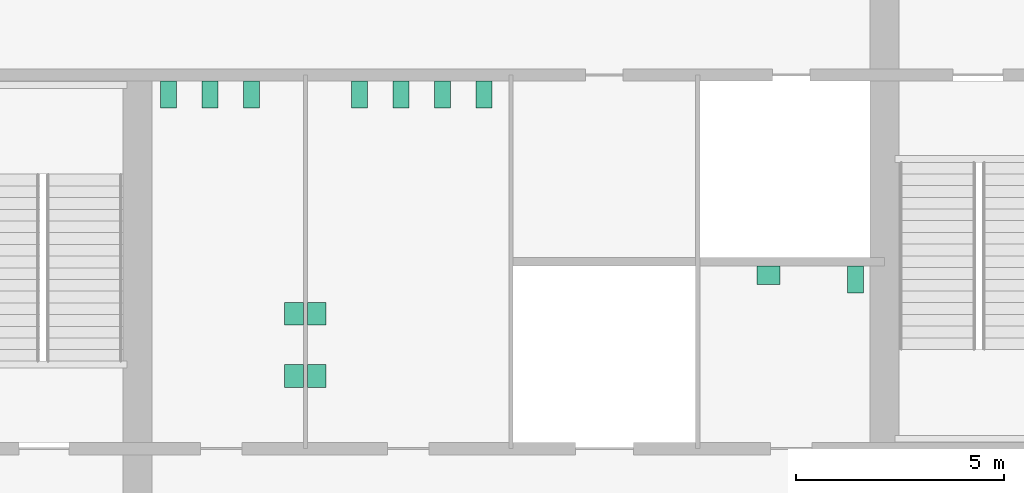
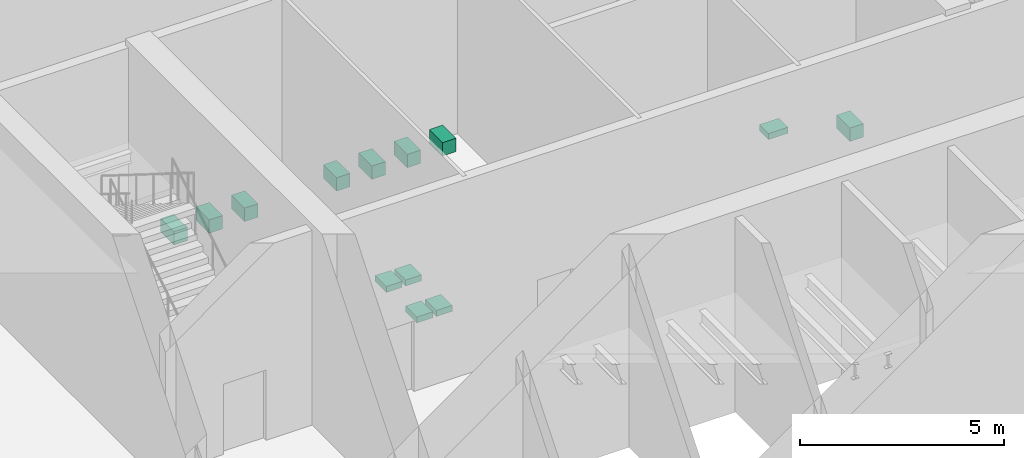
# One storey, part 11 of 11: 13 sanitary terminals.
"""IFC4 building model written with IfcOpenShell, lengths in metres."""

import ifcopenshell
import ifcopenshell.guid

model = None  # the IFC model being written
_history = None  # IfcOwnerHistory: only IFC2X3 demands one
_inside = {}  # id of a spatial element -> (the spatial element, [elements in it])
_under = {}  # id of a project, library or spatial element -> (it, [spatial elements below it])
_declared = {}  # id of a project -> (the project, [libraries it declares])
_typed = {}  # id of a type object -> (the type object, [elements of that type])
_made_of = {}  # id of a material, layer set ... -> (it, [elements and type objects made of it])


def new_model(schema):
    """Start an empty IFC model of exactly this schema.

    Asked for "IFC4X3", IfcOpenShell would pick the latest addendum, in which some entities
    have other attributes; the version numbers below select the first issue.
    IFC2X3 requires an IfcOwnerHistory on every rooted entity: one is made here for all.
    """
    global model, _history
    if schema == "IFC4X3":
        model = ifcopenshell.file(schema_version=(4, 3, 0, 0))
    else:
        model = ifcopenshell.file(schema=schema)
    _inside.clear()
    _under.clear()
    _declared.clear()
    _typed.clear()
    _made_of.clear()
    _history = None
    if model.schema == "IFC2X3":
        org = make("IfcOrganization", Name="unknown")
        user = make(
            "IfcPersonAndOrganization",
            ThePerson=make("IfcPerson", FamilyName="unknown"),
            TheOrganization=org,
        )
        app = make(
            "IfcApplication",
            ApplicationDeveloper=org,
            Version="unknown",
            ApplicationFullName="unknown",
            ApplicationIdentifier="unknown",
        )
        _history = make(
            "IfcOwnerHistory",
            OwningUser=user,
            OwningApplication=app,
            ChangeAction="ADDED",
            CreationDate=0,
        )
    return model


def make(cls, **values):
    """One entity of the class cls with the attributes given. An attribute that is None is left unset."""
    return model.create_entity(
        cls, **{name: value for name, value in values.items() if value is not None}
    )


def rooted(cls, **values):
    """An entity with a GlobalId (a new one), such as an element, a storey or a relation."""
    return make(cls, GlobalId=ifcopenshell.guid.new(), OwnerHistory=_history, **values)


def si_unit(unit_type, name, prefix=None):
    """IfcSIUnit, for example si_unit("LENGTHUNIT", "METRE", prefix="MILLI")."""
    return make("IfcSIUnit", UnitType=unit_type, Prefix=prefix, Name=name)


def assignment(units):
    """IfcUnitAssignment: the units of a project."""
    return None if units is None else make("IfcUnitAssignment", Units=units)


def point(xyz):
    """IfcCartesianPoint."""
    return None if xyz is None else make("IfcCartesianPoint", Coordinates=xyz)


def direction(xyz):
    """IfcDirection."""
    return None if xyz is None else make("IfcDirection", DirectionRatios=xyz)


def frame(location, z_axis=None, x_axis=None):
    """IfcAxis2Placement3D, a coordinate frame: its origin and axes. An axis left out is left unset."""
    return make(
        "IfcAxis2Placement3D",
        Location=point(location),
        Axis=direction(z_axis),
        RefDirection=direction(x_axis),
    )


def frame_2d(location, x_axis=None):
    """IfcAxis2Placement2D, a coordinate frame in the plane: its origin and x axis."""
    return make(
        "IfcAxis2Placement2D", Location=point(location), RefDirection=direction(x_axis)
    )


def origin():
    """The frame at (0, 0, 0) with its axes left unset."""
    return frame((0.0, 0.0, 0.0))


def origin_2d():
    """The frame at (0, 0) in the plane with its x axis left unset."""
    return frame_2d((0.0, 0.0))


def place(relative_to, where):
    """IfcLocalPlacement: puts the frame where relative to a parent placement (None: the world)."""
    return make(
        "IfcLocalPlacement", PlacementRelTo=relative_to, RelativePlacement=where
    )


def context(
    kind, dimensions, precision=None, world=None, true_north=None, identifier=None
):
    """IfcGeometricRepresentationContext, for example the 3D "Model" context."""
    return make(
        "IfcGeometricRepresentationContext",
        ContextIdentifier=identifier,
        ContextType=kind,
        CoordinateSpaceDimension=dimensions,
        Precision=precision,
        WorldCoordinateSystem=world,
        TrueNorth=true_north,
    )


def subcontext(parent, identifier, kind, view, scale=None):
    """IfcGeometricRepresentationSubContext, for example "Body" below "Model"."""
    return make(
        "IfcGeometricRepresentationSubContext",
        ContextIdentifier=identifier,
        ContextType=kind,
        ParentContext=parent,
        TargetScale=scale,
        TargetView=view,
    )


def project(units=None, contexts=None):
    """IfcProject with its units and contexts."""
    return rooted(
        "IfcProject",
        Name="project",
        RepresentationContexts=contexts,
        UnitsInContext=assignment(units),
    )


def spatial(cls, under=None, at=None, **own):
    """A site, building, storey or space (cls), placed at a placement, below another one or the project."""
    s = rooted(cls, ObjectPlacement=at, **own)
    if under is not None:
        _under.setdefault(under.id(), (under, []))[1].append(s)
    return s


def profile(cls, at=None, kind="AREA", **sizes):
    """A parametric profile (cls). Its sizes go by their IFC names, for example OverallWidth=200.0."""
    return make(cls, ProfileType=kind, Position=at, **sizes)


def rectangle(**sizes):
    """IfcRectangleProfileDef."""
    return profile("IfcRectangleProfileDef", **sizes)


def extrude(swept, where, along, depth):
    """IfcExtrudedAreaSolid: the profile swept, set in the frame where, extruded along a direction by depth."""
    return make(
        "IfcExtrudedAreaSolid",
        SweptArea=swept,
        Position=where,
        ExtrudedDirection=direction(along),
        Depth=depth,
    )


def shape(context_of_items, identifier, shape_type, items):
    """IfcShapeRepresentation: the items that make up one representation, for example the "Body"."""
    return make(
        "IfcShapeRepresentation",
        ContextOfItems=context_of_items,
        RepresentationIdentifier=identifier,
        RepresentationType=shape_type,
        Items=items,
    )


def material(Name=None, Category=None):
    """IfcMaterial."""
    return make("IfcMaterial", Name=Name, Category=Category)


def made_of(thing, what):
    """Note that an element or type object is made of a material, layer set ...; save() writes the relation."""
    if what is not None:
        _made_of.setdefault(what.id(), (what, []))[1].append(thing)
    return thing


def type_object(cls, material=None, **own):
    """A type object (cls), such as IfcWallType, which elements share."""
    return made_of(rooted(cls, **own), material)


def element(
    cls,
    number,
    at=None,
    inside=None,
    cuts=None,
    type_object=None,
    material=None,
    context=None,
    identifier="Body",
    shape_type=None,
    held_by="IfcProductDefinitionShape",
    body=None,
    shapes=None,
    **own,
):
    """One element of the class cls, such as IfcWall. Its Tag is "e" and its number.

    at: its placement. inside: the storey or other place that contains it. cuts: it is an
    opening in that element (IfcRelVoidsElement). A single representation is given by context,
    identifier, shape_type and body (its items); several are given by shapes. held_by: the class
    of the entity that holds the representations. save() writes the other relations.
    """
    e = rooted(cls, Tag="e%d" % number, ObjectPlacement=at, **own)
    if body is not None:
        shapes = [shape(context, identifier, shape_type, body)]
    if shapes is not None:
        e.Representation = make(held_by, Representations=shapes)
    if inside is not None:
        _inside.setdefault(inside.id(), (inside, []))[1].append(e)
    if cuts is not None:
        rooted(
            "IfcRelVoidsElement", RelatingBuildingElement=cuts, RelatedOpeningElement=e
        )
    if type_object is not None:
        _typed.setdefault(type_object.id(), (type_object, []))[1].append(e)
    return made_of(e, material)


def aggregate(whole, parts):
    """IfcRelAggregates: a whole, such as a stair, and the parts it consists of."""
    return rooted("IfcRelAggregates", RelatingObject=whole, RelatedObjects=parts)


def save(model, path):
    """Write the relations noted so far, then the file.

    IfcRelAggregates (storeys below a building ...), IfcRelContainedInSpatialStructure (elements
    in a storey), IfcRelDefinesByType, IfcRelAssociatesMaterial and IfcRelDeclares: one each for
    every whole, place, type object, material and project.
    """
    for whole, parts in _under.values():
        aggregate(whole, parts)
    for where, things in _inside.values():
        rooted(
            "IfcRelContainedInSpatialStructure",
            RelatedElements=things,
            RelatingStructure=where,
        )
    for kind, things in _typed.values():
        rooted("IfcRelDefinesByType", RelatedObjects=things, RelatingType=kind)
    for what, things in _made_of.values():
        rooted("IfcRelAssociatesMaterial", RelatedObjects=things, RelatingMaterial=what)
    for by, libraries in _declared.values():
        rooted("IfcRelDeclares", RelatingContext=by, RelatedDefinitions=libraries)
    model.write(path)


model = new_model("IFC4")

# Units and contexts
model_context = context("Model", 3, precision=1e-05, world=origin(), true_north=direction((0.0, 1.0)))
body_context = subcontext(model_context, "Body", "Model", "MODEL_VIEW")
ifc_project = project(units=[si_unit("LENGTHUNIT", "METRE"), si_unit("AREAUNIT", "SQUARE_METRE"), si_unit("VOLUMEUNIT", "CUBIC_METRE"), si_unit("PLANEANGLEUNIT", "RADIAN"), si_unit("MASSUNIT", "GRAM", prefix="KILO")], contexts=[model_context])

# Site, building, storey
site_placement = place(None, origin())
site = spatial("IfcSite", under=ifc_project, at=site_placement, CompositionType="ELEMENT")
building_placement = place(site_placement, origin())
building = spatial("IfcBuilding", under=site, at=building_placement, Name="Corais Broadcast Tower", CompositionType="ELEMENT")
storey_placement = place(building_placement, frame((0.0, 0.0, 104.60009765625)))
storey = spatial("IfcBuildingStorey", under=building, at=storey_placement, Name="L23", CompositionType="ELEMENT", Elevation=104.60009765625)

# Sanitary terminals
ifc_material_1 = material(Name="Vitreous china", Category="ceramic")
sanitary_terminal_type_1 = type_object("IfcSanitaryTerminalType", Name="WC pan 380x650", PredefinedType="TOILETPAN", material=ifc_material_1)
for number, where, z_axis, x_axis, name in (
    (1, (18.75, 31.02490234375, 0.0), (0.0, 0.0, 1.0), (1.0, 0.0, 0.0), "SW1 WC pan, male toilets L23"),
    (2, (19.75, 31.02490234375, 0.0), (0.0, 0.0, 1.0), (1.0, 0.0, 0.0), "SW1 WC pan, male toilets L23"),
    (3, (20.75, 31.02490234375, 0.0), (0.0, 0.0, 1.0), (1.0, 0.0, 0.0), "SW1 WC pan, male toilets L23"),
    (4, (23.35009765625, 31.02490234375, 0.0), (0.0, 0.0, 1.0), (1.0, 0.0, 0.0), "SW1 WC pan, female toilets L23"),
    (5, (24.35009765625, 31.02490234375, 0.0), (0.0, 0.0, 1.0), (1.0, 0.0, 0.0), "SW1 WC pan, female toilets L23"),
    (6, (25.35009765625, 31.02490234375, 0.0), (0.0, 0.0, 1.0), (1.0, 0.0, 0.0), "SW1 WC pan, female toilets L23"),
    (7, (26.35009765625, 31.02490234375, 0.0), (0.0, 0.0, 1.0), (1.0, 0.0, 0.0), "SW1 WC pan, female toilets L23"),
    (8, (35.300048828125, 26.574951171875, 0.0), (0.0, 0.0, 1.0), (1.0, 0.0, 0.0), "SW1 WC pan, accessible WC L23"),
):
    element("IfcSanitaryTerminal", number, at=place(storey_placement, frame(where, z_axis=z_axis, x_axis=x_axis)), inside=storey, type_object=sanitary_terminal_type_1, Name=name, PredefinedType="TOILETPAN", context=body_context, shape_type="SweptSolid", body=[
        extrude(rectangle(XDim=0.3798828125, YDim=0.64990234375, at=origin_2d()), origin(), (0.0, 0.0, 1.0), 0.39990234375),
    ])
ifc_material_2 = material(Name="Vitreous china", Category="ceramic")
sanitary_terminal_type_2 = type_object("IfcSanitaryTerminalType", Name="Wash basin 550x450", PredefinedType="WASHHANDBASIN", material=ifc_material_2)
for number, where, z_axis, x_axis, name in (
    (9, (21.77490234375, 24.25, 0.69970703125), (0.0, 0.0, 1.0), (1.0, 0.0, 0.0), "WB1 wash basin, male toilets L23"),
    (10, (21.77490234375, 25.75, 0.69970703125), (0.0, 0.0, 1.0), (1.0, 0.0, 0.0), "WB1 wash basin, male toilets L23"),
    (11, (22.324951171875, 24.25, 0.69970703125), (0.0, 0.0, 1.0), (1.0, 0.0, 0.0), "WB1 wash basin, female toilets L23"),
    (12, (22.324951171875, 25.75, 0.69970703125), (0.0, 0.0, 1.0), (1.0, 0.0, 0.0), "WB1 wash basin, female toilets L23"),
):
    element("IfcSanitaryTerminal", number, at=place(storey_placement, frame(where, z_axis=z_axis, x_axis=x_axis)), inside=storey, type_object=sanitary_terminal_type_2, Name=name, PredefinedType="WASHHANDBASIN", context=body_context, shape_type="SweptSolid", body=[
        extrude(rectangle(XDim=0.449951171875, YDim=0.550048828125, at=origin_2d()), origin(), (0.0, 0.0, 1.0), 0.179931640625),
    ])
sanitary_terminal_placement = place(storey_placement, frame((33.199951171875, 26.675048828125, 0.69970703125), z_axis=(0.0, 0.0, 1.0), x_axis=(1.0, 0.0, 0.0)))
element("IfcSanitaryTerminal", 13, at=sanitary_terminal_placement, inside=storey, type_object=sanitary_terminal_type_2, Name="WB1 wash basin, accessible WC L23", PredefinedType="WASHHANDBASIN", context=body_context, shape_type="SweptSolid", body=[
    extrude(rectangle(XDim=0.550048828125, YDim=0.449951171875, at=origin_2d()), origin(), (0.0, 0.0, 1.0), 0.179931640625),
])

save(model, "model.ifc")
